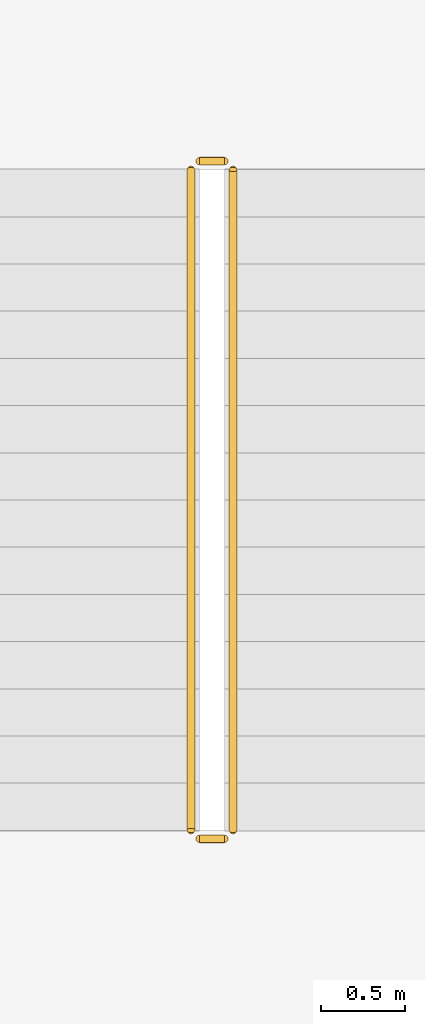
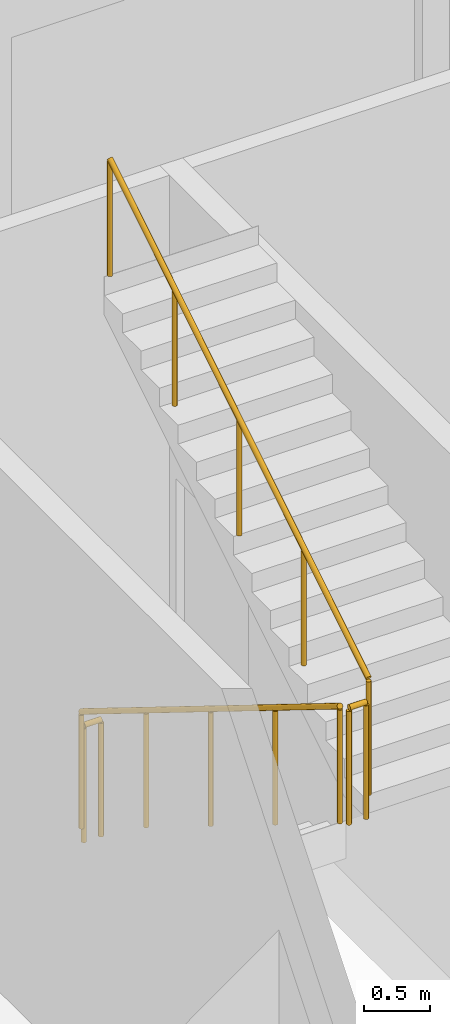
# One storey, part 19 of 21: 4 railings.
"""IFC4 building model written with IfcOpenShell, lengths in metres."""

from ifc_helpers import new_model, si_unit, direction, frame, origin, origin_2d, place, context, subcontext, project, spatial, circle, extrude, material, type_object, element, save


model = new_model("IFC4")

# Units and contexts
model_context = context("Model", 3, precision=1e-05, world=origin(), true_north=direction((0.0, 1.0)))
body_context = subcontext(model_context, "Body", "Model", "MODEL_VIEW")
ifc_project = project(units=[si_unit("LENGTHUNIT", "METRE"), si_unit("AREAUNIT", "SQUARE_METRE"), si_unit("VOLUMEUNIT", "CUBIC_METRE"), si_unit("PLANEANGLEUNIT", "RADIAN"), si_unit("MASSUNIT", "GRAM", prefix="KILO")], contexts=[model_context])

# Site, building, storey
site_placement = place(None, origin())
site = spatial("IfcSite", under=ifc_project, at=site_placement, CompositionType="ELEMENT")
building_placement = place(site_placement, origin())
building = spatial("IfcBuilding", under=site, at=building_placement, Name="Kawkab Arch Medical Tower", CompositionType="ELEMENT")
storey_placement = place(building_placement, frame((0.0, 0.0, 23.800048828125)))
storey = spatial("IfcBuildingStorey", under=building, at=storey_placement, Name="L05", CompositionType="ELEMENT", Elevation=23.800048828125)

# Railings
ifc_material = material(Name="Stainless steel", Category="steel")
railing_type = type_object("IfcRailingType", Name="Stair guard 1100", PredefinedType="GUARDRAIL", material=ifc_material)
railing_1_placement = place(storey_placement, frame((44.39990234375, -1.800048828125, 0.17333984375)))
element("IfcRailing", 1, at=railing_1_placement, inside=storey, type_object=railing_type, Name="L05 ST5 stair guard 1", PredefinedType="GUARDRAIL", context=body_context, shape_type="SweptSolid", body=[
    extrude(circle(Radius=0.02392578125, at=origin_2d()), frame((0.0, 0.0, 1.076171875), z_axis=(0.0, -0.850275303828, 0.526338206574), x_axis=(1.0, 0.0, 0.0)), (0.0, 0.0, 1.0), 4.610107421875),
    extrude(circle(Radius=0.02099609375, at=origin_2d()), origin(), (0.0, 0.0, 1.0), 1.052001953125),
    extrude(circle(Radius=0.02099609375, at=origin_2d()), frame((0.0, -0.97998046875, 0.606689453125)), (0.0, 0.0, 1.0), 1.052001953125),
    extrude(circle(Radius=0.02099609375, at=origin_2d()), frame((0.0, -1.9599609375, 1.21337890625)), (0.0, 0.0, 1.0), 1.052001953125),
    extrude(circle(Radius=0.02099609375, at=origin_2d()), frame((0.0, -2.93994140625, 1.81982421875)), (0.0, 0.0, 1.0), 1.052001953125),
    extrude(circle(Radius=0.02099609375, at=origin_2d()), frame((0.0, -3.919921875, 2.426513671875)), (0.0, 0.0, 1.0), 1.052001953125),
])
railing_2_placement = place(storey_placement, frame((44.449951171875, -5.77001953125, 2.599853515625)))
element("IfcRailing", 2, at=railing_2_placement, inside=storey, type_object=railing_type, Name="L05 ST5 stair guard 2", PredefinedType="GUARDRAIL", context=body_context, shape_type="SweptSolid", body=[
    extrude(circle(Radius=0.02392578125, at=origin_2d()), frame((0.0, 0.0, 1.076171875), z_axis=(1.0, 0.0, 0.0), x_axis=(0.0, 1.0, 0.0)), (0.0, 0.0, 1.0), 0.150146484375),
    extrude(circle(Radius=0.02099609375, at=origin_2d()), origin(), (0.0, 0.0, 1.0), 1.052001953125),
    extrude(circle(Radius=0.02099609375, at=origin_2d()), frame((0.150146484375, 0.0, 0.0)), (0.0, 0.0, 1.0), 1.052001953125),
])
railing_3_placement = place(storey_placement, frame((44.64990234375, -5.719970703125, 2.773193359375)))
element("IfcRailing", 3, at=railing_3_placement, inside=storey, type_object=railing_type, Name="L05 ST5 stair guard 3", PredefinedType="GUARDRAIL", context=body_context, shape_type="SweptSolid", body=[
    extrude(circle(Radius=0.02392578125, at=origin_2d()), frame((0.0, 0.0, 1.076171875), z_axis=(0.0, 0.850251603719, 0.526376491091), x_axis=(-1.0, 0.0, 0.0)), (0.0, 0.0, 1.0), 4.6103515625),
    extrude(circle(Radius=0.02099609375, at=origin_2d()), origin(), (0.0, 0.0, 1.0), 1.052001953125),
    extrude(circle(Radius=0.02099609375, at=origin_2d()), frame((0.0, 0.97998046875, 0.606689453125)), (0.0, 0.0, 1.0), 1.052001953125),
    extrude(circle(Radius=0.02099609375, at=origin_2d()), frame((0.0, 1.9599609375, 1.21337890625)), (0.0, 0.0, 1.0), 1.052001953125),
    extrude(circle(Radius=0.02099609375, at=origin_2d()), frame((0.0, 2.93994140625, 1.820068359375)), (0.0, 0.0, 1.0), 1.052001953125),
    extrude(circle(Radius=0.02099609375, at=origin_2d()), frame((0.0, 3.919921875, 2.4267578125)), (0.0, 0.0, 1.0), 1.052001953125),
])
railing_4_placement = place(storey_placement, frame((44.449951171875, -1.75, 0.0)))
element("IfcRailing", 4, at=railing_4_placement, inside=storey, type_object=railing_type, Name="L05 ST5 stair guard 4", PredefinedType="GUARDRAIL", context=body_context, shape_type="SweptSolid", body=[
    extrude(circle(Radius=0.02392578125, at=origin_2d()), frame((0.0, 0.0, 1.076171875), z_axis=(1.0, 0.0, 0.0), x_axis=(0.0, 1.0, 0.0)), (0.0, 0.0, 1.0), 0.150146484375),
    extrude(circle(Radius=0.02099609375, at=origin_2d()), origin(), (0.0, 0.0, 1.0), 1.052001953125),
    extrude(circle(Radius=0.02099609375, at=origin_2d()), frame((0.150146484375, 0.0, 0.0)), (0.0, 0.0, 1.0), 1.052001953125),
])

save(model, "model.ifc")
